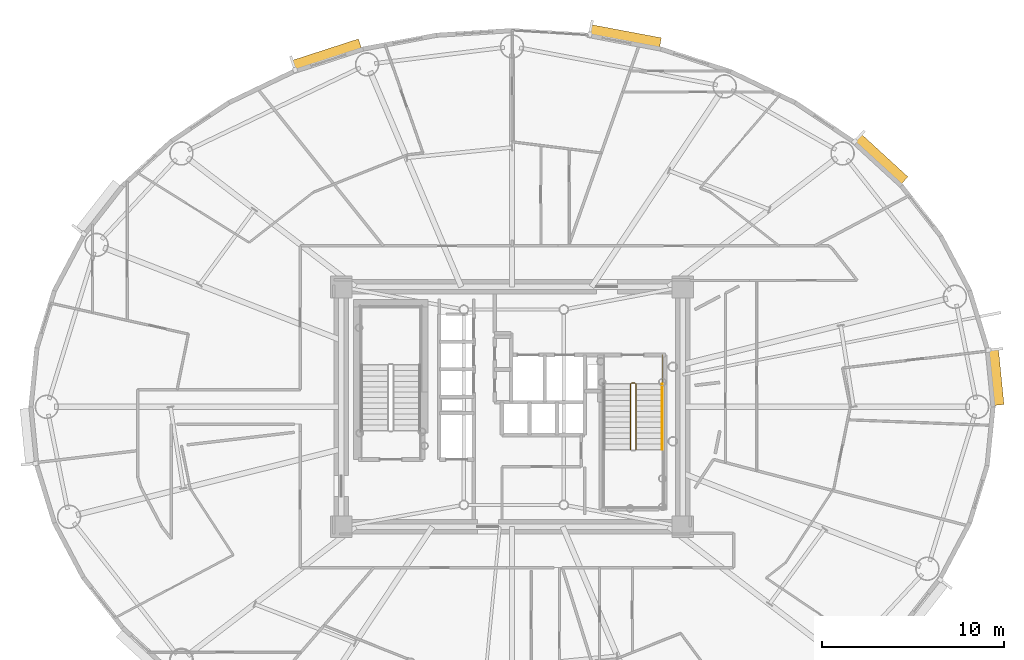
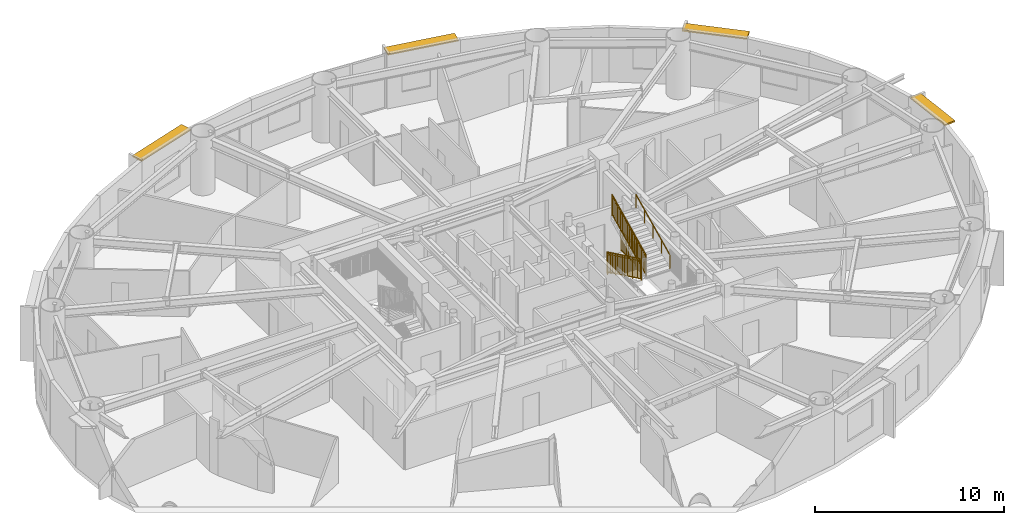
# One storey, part 19 of 19: 5 railings, 4 shading devices.
"""IFC4 building model written with IfcOpenShell, lengths in metres."""

from ifc_helpers import new_model, si_unit, direction, frame, origin, origin_2d, place, context, subcontext, project, spatial, rectangle, extrude, source, transform, mapped, material, layer, layer_set, type_object, element, save


model = new_model("IFC4")

# Units and contexts
model_context = context("Model", 3, precision=1e-05, world=origin(), true_north=direction((0.0, 1.0)))
body_context = subcontext(model_context, "Body", "Model", "MODEL_VIEW")
ifc_project = project(units=[si_unit("LENGTHUNIT", "METRE"), si_unit("AREAUNIT", "SQUARE_METRE"), si_unit("VOLUMEUNIT", "CUBIC_METRE"), si_unit("PLANEANGLEUNIT", "RADIAN"), si_unit("MASSUNIT", "GRAM", prefix="KILO")], contexts=[model_context])

# Site, building, storey
site_placement = place(None, origin())
site = spatial("IfcSite", under=ifc_project, at=site_placement, CompositionType="ELEMENT")
building_placement = place(site_placement, origin())
building = spatial("IfcBuilding", under=site, at=building_placement, Name="Linh Dai School and Residence Tower", CompositionType="ELEMENT")
storey_placement = place(building_placement, frame((0.0, 0.0, 174.89990234375)))
storey = spatial("IfcBuildingStorey", under=building, at=storey_placement, Name="L42", CompositionType="ELEMENT", Elevation=174.89990234375)

# Shading devices
ifc_material_1 = material(Name="Terracotta Ceramic Sunshade", Category="masonry")
ifc_layer = layer(ifc_material_1, 0.10009765625)
ifc_layer_set = layer_set([ifc_layer], Name="Terracotta Ceramic Sunshade")
shading_device_type = type_object("IfcShadingDeviceType", Name="SHD-TC-650", PredefinedType="USERDEFINED", material=ifc_layer_set)
shared_shape_1 = source(origin(), body_context, "Body", "SweptSolid", [
    extrude(rectangle(XDim=3.1201171875, YDim=0.64990234375, at=origin_2d()), origin(), (0.0, 0.0, 1.0), 0.10009765625),
])
shading_device_1_placement = place(storey_placement, frame((62.59619140625, 28.645263671875, 3.380126953125), z_axis=(0.0, 0.0, 1.0), x_axis=(0.100001796141, -0.994987256586, 0.0)))
element("IfcShadingDevice", 1, at=shading_device_1_placement, inside=storey, type_object=shading_device_type, Name="L42 Terracotta Horizontal Sunshade Band 01", ObjectType="SUNSHADE", PredefinedType="USERDEFINED", context=body_context, shape_type="MappedRepresentation", body=[
    mapped(shared_shape_1, transform((0.0, 0.0, 0.0), x_axis=(1.0, 0.0, 0.0), y_axis=(0.0, 1.0, 0.0), z_axis=(0.0, 0.0, 1.0), scale=1.0)),
])
shared_shape_2 = source(origin(), body_context, "Body", "SweptSolid", [
    extrude(rectangle(XDim=3.51171875, YDim=0.64990234375, at=origin_2d()), origin(), (0.0, 0.0, 1.0), 0.10009765625),
])
shading_device_2_placement = place(storey_placement, frame((56.272705078125, 40.604736328125, 3.380126953125), z_axis=(0.0, 0.0, 1.0), x_axis=(0.737085029426, -0.67580001435, 0.0)))
element("IfcShadingDevice", 2, at=shading_device_2_placement, inside=storey, type_object=shading_device_type, Name="L42 Terracotta Horizontal Sunshade Band 05", ObjectType="SUNSHADE", PredefinedType="USERDEFINED", context=body_context, shape_type="MappedRepresentation", body=[
    mapped(shared_shape_2, transform((0.0, 0.0, 0.0), x_axis=(1.0, 0.0, 0.0), y_axis=(0.0, 1.0, 0.0), z_axis=(0.0, 0.0, 1.0), scale=1.0)),
])
shared_shape_3 = source(origin(), body_context, "Body", "SweptSolid", [
    extrude(rectangle(XDim=3.949462890625, YDim=0.64990234375, at=origin_2d()), origin(), (0.0, 0.0, 1.0), 0.10009765625),
])
shading_device_3_placement = place(storey_placement, frame((42.219970703125, 47.349609375, 3.380126953125), z_axis=(0.0, 0.0, 1.0), x_axis=(0.982783192645, -0.184762540184, 0.0)))
element("IfcShadingDevice", 3, at=shading_device_3_placement, inside=storey, type_object=shading_device_type, Name="L42 Terracotta Horizontal Sunshade Band 09", ObjectType="SUNSHADE", PredefinedType="USERDEFINED", context=body_context, shape_type="MappedRepresentation", body=[
    mapped(shared_shape_3, transform((0.0, 0.0, 0.0), x_axis=(1.0, 0.0, 0.0), y_axis=(0.0, 1.0, 0.0), z_axis=(0.0, 0.0, 1.0), scale=1.0)),
])
shared_shape_4 = source(origin(), body_context, "Body", "SweptSolid", [
    extrude(rectangle(XDim=3.876220703125, YDim=0.64990234375, at=origin_2d()), origin(), (0.0, 0.0, 1.0), 0.10009765625),
])
shading_device_4_placement = place(storey_placement, frame((25.802734375, 46.337646484375, 3.380126953125), z_axis=(0.0, 0.0, 1.0), x_axis=(0.951212761419, 0.308535707031, 0.0)))
element("IfcShadingDevice", 4, at=shading_device_4_placement, inside=storey, type_object=shading_device_type, Name="L42 Terracotta Horizontal Sunshade Band 13", ObjectType="SUNSHADE", PredefinedType="USERDEFINED", context=body_context, shape_type="MappedRepresentation", body=[
    mapped(shared_shape_4, transform((0.0, 0.0, 0.0), x_axis=(1.0, 0.0, 0.0), y_axis=(0.0, 1.0, 0.0), z_axis=(0.0, 0.0, 1.0), scale=1.0)),
])

# Railings
ifc_material_2 = material(Name="Structural Steel S355JR", Category="steel")
railing_type_1 = type_object("IfcRailingType", Name="RL-ST-GUARD-1400", PredefinedType="GUARDRAIL", material=ifc_material_2)
shared_shape_5 = source(origin(), body_context, "Body", "SweptSolid", [
    extrude(rectangle(XDim=0.048095703125, YDim=0.048095703125, at=origin_2d()), frame((0.0, 0.0, 1.3759765625), z_axis=(0.0, 0.901262522062, 0.433273431364), x_axis=(-1.0, 0.0, 0.0)), (0.0, 0.0, 1.0), 3.994384765625),
    extrude(rectangle(XDim=0.048095703125, YDim=0.048095703125, at=origin_2d()), frame((0.0, 0.0, 0.10009765625), z_axis=(0.0, 0.901262522062, 0.433273431364), x_axis=(-1.0, 0.0, 0.0)), (0.0, 0.0, 1.0), 3.994384765625),
    extrude(rectangle(XDim=0.030029296875, YDim=0.030029296875, at=origin_2d()), frame((0.0, 0.0, 1.239990234375), z_axis=(0.0, 0.901262522062, 0.433273431364), x_axis=(-1.0, 0.0, 0.0)), (0.0, 0.0, 1.0), 3.994384765625),
    extrude(rectangle(XDim=0.02001953125, YDim=0.02001953125, at=origin_2d()), frame((0.0, 0.087890625, 0.142333984375)), (0.0, 0.0, 1.0), 1.251708984375),
    extrude(rectangle(XDim=0.02001953125, YDim=0.02001953125, at=origin_2d()), frame((0.0, 0.175537109375, 0.1845703125)), (0.0, 0.0, 1.0), 1.251708984375),
    extrude(rectangle(XDim=0.02001953125, YDim=0.02001953125, at=origin_2d()), frame((0.0, 0.263427734375, 0.226806640625)), (0.0, 0.0, 1.0), 1.251708984375),
    extrude(rectangle(XDim=0.02001953125, YDim=0.02001953125, at=origin_2d()), frame((0.0, 0.351318359375, 0.26904296875)), (0.0, 0.0, 1.0), 1.251708984375),
    extrude(rectangle(XDim=0.02001953125, YDim=0.02001953125, at=origin_2d()), frame((0.0, 0.43896484375, 0.311279296875)), (0.0, 0.0, 1.0), 1.251708984375),
    extrude(rectangle(XDim=0.02001953125, YDim=0.02001953125, at=origin_2d()), frame((0.0, 0.52685546875, 0.353271484375)), (0.0, 0.0, 1.0), 1.251708984375),
    extrude(rectangle(XDim=0.02001953125, YDim=0.02001953125, at=origin_2d()), frame((0.0, 0.61474609375, 0.3955078125)), (0.0, 0.0, 1.0), 1.251708984375),
    extrude(rectangle(XDim=0.02001953125, YDim=0.02001953125, at=origin_2d()), frame((0.0, 0.702392578125, 0.437744140625)), (0.0, 0.0, 1.0), 1.251708984375),
    extrude(rectangle(XDim=0.02001953125, YDim=0.02001953125, at=origin_2d()), frame((0.0, 0.790283203125, 0.47998046875)), (0.0, 0.0, 1.0), 1.251708984375),
    extrude(rectangle(XDim=0.02001953125, YDim=0.02001953125, at=origin_2d()), frame((0.0, 0.9658203125, 0.564453125)), (0.0, 0.0, 1.0), 1.251708984375),
    extrude(rectangle(XDim=0.02001953125, YDim=0.02001953125, at=origin_2d()), frame((0.0, 1.0537109375, 0.606689453125)), (0.0, 0.0, 1.0), 1.251708984375),
    extrude(rectangle(XDim=0.02001953125, YDim=0.02001953125, at=origin_2d()), frame((0.0, 1.1416015625, 0.64892578125)), (0.0, 0.0, 1.0), 1.251708984375),
    extrude(rectangle(XDim=0.02001953125, YDim=0.02001953125, at=origin_2d()), frame((0.0, 1.229248046875, 0.691162109375)), (0.0, 0.0, 1.0), 1.251708984375),
    extrude(rectangle(XDim=0.02001953125, YDim=0.02001953125, at=origin_2d()), frame((0.0, 1.317138671875, 0.7333984375)), (0.0, 0.0, 1.0), 1.251708984375),
    extrude(rectangle(XDim=0.02001953125, YDim=0.02001953125, at=origin_2d()), frame((0.0, 1.405029296875, 0.775390625)), (0.0, 0.0, 1.0), 1.251708984375),
    extrude(rectangle(XDim=0.02001953125, YDim=0.02001953125, at=origin_2d()), frame((0.0, 1.49267578125, 0.817626953125)), (0.0, 0.0, 1.0), 1.251708984375),
    extrude(rectangle(XDim=0.02001953125, YDim=0.02001953125, at=origin_2d()), frame((0.0, 1.58056640625, 0.85986328125)), (0.0, 0.0, 1.0), 1.251708984375),
    extrude(rectangle(XDim=0.02001953125, YDim=0.02001953125, at=origin_2d()), frame((0.0, 1.66845703125, 0.902099609375)), (0.0, 0.0, 1.0), 1.251708984375),
    extrude(rectangle(XDim=0.02001953125, YDim=0.02001953125, at=origin_2d()), frame((0.0, 1.756103515625, 0.9443359375)), (0.0, 0.0, 1.0), 1.251708984375),
    extrude(rectangle(XDim=0.02001953125, YDim=0.02001953125, at=origin_2d()), frame((0.0, 1.843994140625, 0.986572265625)), (0.0, 0.0, 1.0), 1.251708984375),
    extrude(rectangle(XDim=0.02001953125, YDim=0.02001953125, at=origin_2d()), frame((0.0, 1.931640625, 1.02880859375)), (0.0, 0.0, 1.0), 1.251708984375),
    extrude(rectangle(XDim=0.02001953125, YDim=0.02001953125, at=origin_2d()), frame((0.0, 2.01953125, 1.071044921875)), (0.0, 0.0, 1.0), 1.251708984375),
    extrude(rectangle(XDim=0.02001953125, YDim=0.02001953125, at=origin_2d()), frame((0.0, 2.107421875, 1.11328125)), (0.0, 0.0, 1.0), 1.251708984375),
    extrude(rectangle(XDim=0.02001953125, YDim=0.02001953125, at=origin_2d()), frame((0.0, 2.195068359375, 1.155517578125)), (0.0, 0.0, 1.0), 1.251708984375),
    extrude(rectangle(XDim=0.02001953125, YDim=0.02001953125, at=origin_2d()), frame((0.0, 2.282958984375, 1.197509765625)), (0.0, 0.0, 1.0), 1.251708984375),
    extrude(rectangle(XDim=0.02001953125, YDim=0.02001953125, at=origin_2d()), frame((0.0, 2.370849609375, 1.23974609375)), (0.0, 0.0, 1.0), 1.251708984375),
    extrude(rectangle(XDim=0.02001953125, YDim=0.02001953125, at=origin_2d()), frame((0.0, 2.45849609375, 1.281982421875)), (0.0, 0.0, 1.0), 1.251708984375),
    extrude(rectangle(XDim=0.02001953125, YDim=0.02001953125, at=origin_2d()), frame((0.0, 2.54638671875, 1.32421875)), (0.0, 0.0, 1.0), 1.251708984375),
    extrude(rectangle(XDim=0.02001953125, YDim=0.02001953125, at=origin_2d()), frame((0.0, 2.63427734375, 1.366455078125)), (0.0, 0.0, 1.0), 1.251708984375),
    extrude(rectangle(XDim=0.02001953125, YDim=0.02001953125, at=origin_2d()), frame((0.0, 2.809814453125, 1.450927734375)), (0.0, 0.0, 1.0), 1.251708984375),
    extrude(rectangle(XDim=0.02001953125, YDim=0.02001953125, at=origin_2d()), frame((0.0, 2.897705078125, 1.4931640625)), (0.0, 0.0, 1.0), 1.251708984375),
    extrude(rectangle(XDim=0.02001953125, YDim=0.02001953125, at=origin_2d()), frame((0.0, 2.9853515625, 1.535400390625)), (0.0, 0.0, 1.0), 1.251708984375),
    extrude(rectangle(XDim=0.02001953125, YDim=0.02001953125, at=origin_2d()), frame((0.0, 3.0732421875, 1.57763671875)), (0.0, 0.0, 1.0), 1.251708984375),
    extrude(rectangle(XDim=0.02001953125, YDim=0.02001953125, at=origin_2d()), frame((0.0, 3.1611328125, 1.61962890625)), (0.0, 0.0, 1.0), 1.251708984375),
    extrude(rectangle(XDim=0.02001953125, YDim=0.02001953125, at=origin_2d()), frame((0.0, 3.248779296875, 1.661865234375)), (0.0, 0.0, 1.0), 1.251708984375),
    extrude(rectangle(XDim=0.02001953125, YDim=0.02001953125, at=origin_2d()), frame((0.0, 3.336669921875, 1.7041015625)), (0.0, 0.0, 1.0), 1.251708984375),
    extrude(rectangle(XDim=0.02001953125, YDim=0.02001953125, at=origin_2d()), frame((0.0, 3.424560546875, 1.746337890625)), (0.0, 0.0, 1.0), 1.251708984375),
    extrude(rectangle(XDim=0.02001953125, YDim=0.02001953125, at=origin_2d()), frame((0.0, 3.51220703125, 1.78857421875)), (0.0, 0.0, 1.0), 1.251708984375),
    extrude(rectangle(XDim=0.0419921875, YDim=0.0419921875, at=origin_2d()), origin(), (0.0, 0.0, 1.0), 1.3759765625),
    extrude(rectangle(XDim=0.0419921875, YDim=0.0419921875, at=origin_2d()), frame((0.0, 0.89990234375, 0.4326171875)), (0.0, 0.0, 1.0), 1.3759765625),
    extrude(rectangle(XDim=0.0419921875, YDim=0.0419921875, at=origin_2d()), frame((0.0, 1.800048828125, 0.865234375)), (0.0, 0.0, 1.0), 1.3759765625),
    extrude(rectangle(XDim=0.0419921875, YDim=0.0419921875, at=origin_2d()), frame((0.0, 2.7001953125, 1.298095703125)), (0.0, 0.0, 1.0), 1.3759765625),
    extrude(rectangle(XDim=0.0419921875, YDim=0.0419921875, at=origin_2d()), frame((0.0, 3.60009765625, 1.730712890625)), (0.0, 0.0, 1.0), 1.3759765625),
])
railing_1_placement = place(storey_placement, frame((42.820068359375, 24.64990234375, 2.019287109375)))
element("IfcRailing", 5, at=railing_1_placement, inside=storey, type_object=railing_type_1, Name="L42 ST2 stair guard 6", PredefinedType="GUARDRAIL", context=body_context, shape_type="MappedRepresentation", body=[
    mapped(shared_shape_5, transform((0.0, 0.0, 0.0), x_axis=(1.0, 0.0, 0.0), y_axis=(0.0, 1.0, 0.0), z_axis=(0.0, 0.0, 1.0), scale=1.0)),
])
shared_shape_6 = source(origin(), body_context, "Body", "SweptSolid", [
    extrude(rectangle(XDim=0.048095703125, YDim=0.048095703125, at=origin_2d()), frame((0.0, 0.0, 1.3759765625), z_axis=(0.0, -0.901262522062, 0.433273431364), x_axis=(1.0, 0.0, 0.0)), (0.0, 0.0, 1.0), 3.994384765625),
    extrude(rectangle(XDim=0.048095703125, YDim=0.048095703125, at=origin_2d()), frame((0.0, 0.0, 0.10009765625), z_axis=(0.0, -0.901262522062, 0.433273431364), x_axis=(1.0, 0.0, 0.0)), (0.0, 0.0, 1.0), 3.994384765625),
    extrude(rectangle(XDim=0.030029296875, YDim=0.030029296875, at=origin_2d()), frame((0.0, 0.0, 1.239990234375), z_axis=(0.0, -0.901262522062, 0.433273431364), x_axis=(1.0, 0.0, 0.0)), (0.0, 0.0, 1.0), 3.994384765625),
    extrude(rectangle(XDim=0.02001953125, YDim=0.02001953125, at=origin_2d()), frame((0.0, -0.087890625, 0.142333984375)), (0.0, 0.0, 1.0), 1.251708984375),
    extrude(rectangle(XDim=0.02001953125, YDim=0.02001953125, at=origin_2d()), frame((0.0, -0.175537109375, 0.1845703125)), (0.0, 0.0, 1.0), 1.251708984375),
    extrude(rectangle(XDim=0.02001953125, YDim=0.02001953125, at=origin_2d()), frame((0.0, -0.263427734375, 0.226806640625)), (0.0, 0.0, 1.0), 1.251708984375),
    extrude(rectangle(XDim=0.02001953125, YDim=0.02001953125, at=origin_2d()), frame((0.0, -0.351318359375, 0.26904296875)), (0.0, 0.0, 1.0), 1.251708984375),
    extrude(rectangle(XDim=0.02001953125, YDim=0.02001953125, at=origin_2d()), frame((0.0, -0.43896484375, 0.311279296875)), (0.0, 0.0, 1.0), 1.251708984375),
    extrude(rectangle(XDim=0.02001953125, YDim=0.02001953125, at=origin_2d()), frame((0.0, -0.52685546875, 0.353271484375)), (0.0, 0.0, 1.0), 1.251708984375),
    extrude(rectangle(XDim=0.02001953125, YDim=0.02001953125, at=origin_2d()), frame((0.0, -0.61474609375, 0.3955078125)), (0.0, 0.0, 1.0), 1.251708984375),
    extrude(rectangle(XDim=0.02001953125, YDim=0.02001953125, at=origin_2d()), frame((0.0, -0.702392578125, 0.437744140625)), (0.0, 0.0, 1.0), 1.251708984375),
    extrude(rectangle(XDim=0.02001953125, YDim=0.02001953125, at=origin_2d()), frame((0.0, -0.790283203125, 0.47998046875)), (0.0, 0.0, 1.0), 1.251708984375),
    extrude(rectangle(XDim=0.02001953125, YDim=0.02001953125, at=origin_2d()), frame((0.0, -0.9658203125, 0.564453125)), (0.0, 0.0, 1.0), 1.251708984375),
    extrude(rectangle(XDim=0.02001953125, YDim=0.02001953125, at=origin_2d()), frame((0.0, -1.0537109375, 0.606689453125)), (0.0, 0.0, 1.0), 1.251708984375),
    extrude(rectangle(XDim=0.02001953125, YDim=0.02001953125, at=origin_2d()), frame((0.0, -1.1416015625, 0.64892578125)), (0.0, 0.0, 1.0), 1.251708984375),
    extrude(rectangle(XDim=0.02001953125, YDim=0.02001953125, at=origin_2d()), frame((0.0, -1.229248046875, 0.691162109375)), (0.0, 0.0, 1.0), 1.251708984375),
    extrude(rectangle(XDim=0.02001953125, YDim=0.02001953125, at=origin_2d()), frame((0.0, -1.317138671875, 0.7333984375)), (0.0, 0.0, 1.0), 1.251708984375),
    extrude(rectangle(XDim=0.02001953125, YDim=0.02001953125, at=origin_2d()), frame((0.0, -1.405029296875, 0.775390625)), (0.0, 0.0, 1.0), 1.251708984375),
    extrude(rectangle(XDim=0.02001953125, YDim=0.02001953125, at=origin_2d()), frame((0.0, -1.49267578125, 0.817626953125)), (0.0, 0.0, 1.0), 1.251708984375),
    extrude(rectangle(XDim=0.02001953125, YDim=0.02001953125, at=origin_2d()), frame((0.0, -1.58056640625, 0.85986328125)), (0.0, 0.0, 1.0), 1.251708984375),
    extrude(rectangle(XDim=0.02001953125, YDim=0.02001953125, at=origin_2d()), frame((0.0, -1.66845703125, 0.902099609375)), (0.0, 0.0, 1.0), 1.251708984375),
    extrude(rectangle(XDim=0.02001953125, YDim=0.02001953125, at=origin_2d()), frame((0.0, -1.756103515625, 0.9443359375)), (0.0, 0.0, 1.0), 1.251708984375),
    extrude(rectangle(XDim=0.02001953125, YDim=0.02001953125, at=origin_2d()), frame((0.0, -1.843994140625, 0.986572265625)), (0.0, 0.0, 1.0), 1.251708984375),
    extrude(rectangle(XDim=0.02001953125, YDim=0.02001953125, at=origin_2d()), frame((0.0, -1.931640625, 1.02880859375)), (0.0, 0.0, 1.0), 1.251708984375),
    extrude(rectangle(XDim=0.02001953125, YDim=0.02001953125, at=origin_2d()), frame((0.0, -2.01953125, 1.071044921875)), (0.0, 0.0, 1.0), 1.251708984375),
    extrude(rectangle(XDim=0.02001953125, YDim=0.02001953125, at=origin_2d()), frame((0.0, -2.107421875, 1.11328125)), (0.0, 0.0, 1.0), 1.251708984375),
    extrude(rectangle(XDim=0.02001953125, YDim=0.02001953125, at=origin_2d()), frame((0.0, -2.195068359375, 1.155517578125)), (0.0, 0.0, 1.0), 1.251708984375),
    extrude(rectangle(XDim=0.02001953125, YDim=0.02001953125, at=origin_2d()), frame((0.0, -2.282958984375, 1.197509765625)), (0.0, 0.0, 1.0), 1.251708984375),
    extrude(rectangle(XDim=0.02001953125, YDim=0.02001953125, at=origin_2d()), frame((0.0, -2.370849609375, 1.23974609375)), (0.0, 0.0, 1.0), 1.251708984375),
    extrude(rectangle(XDim=0.02001953125, YDim=0.02001953125, at=origin_2d()), frame((0.0, -2.45849609375, 1.281982421875)), (0.0, 0.0, 1.0), 1.251708984375),
    extrude(rectangle(XDim=0.02001953125, YDim=0.02001953125, at=origin_2d()), frame((0.0, -2.54638671875, 1.32421875)), (0.0, 0.0, 1.0), 1.251708984375),
    extrude(rectangle(XDim=0.02001953125, YDim=0.02001953125, at=origin_2d()), frame((0.0, -2.63427734375, 1.366455078125)), (0.0, 0.0, 1.0), 1.251708984375),
    extrude(rectangle(XDim=0.02001953125, YDim=0.02001953125, at=origin_2d()), frame((0.0, -2.809814453125, 1.450927734375)), (0.0, 0.0, 1.0), 1.251708984375),
    extrude(rectangle(XDim=0.02001953125, YDim=0.02001953125, at=origin_2d()), frame((0.0, -2.897705078125, 1.4931640625)), (0.0, 0.0, 1.0), 1.251708984375),
    extrude(rectangle(XDim=0.02001953125, YDim=0.02001953125, at=origin_2d()), frame((0.0, -2.9853515625, 1.535400390625)), (0.0, 0.0, 1.0), 1.251708984375),
    extrude(rectangle(XDim=0.02001953125, YDim=0.02001953125, at=origin_2d()), frame((0.0, -3.0732421875, 1.57763671875)), (0.0, 0.0, 1.0), 1.251708984375),
    extrude(rectangle(XDim=0.02001953125, YDim=0.02001953125, at=origin_2d()), frame((0.0, -3.1611328125, 1.61962890625)), (0.0, 0.0, 1.0), 1.251708984375),
    extrude(rectangle(XDim=0.02001953125, YDim=0.02001953125, at=origin_2d()), frame((0.0, -3.248779296875, 1.661865234375)), (0.0, 0.0, 1.0), 1.251708984375),
    extrude(rectangle(XDim=0.02001953125, YDim=0.02001953125, at=origin_2d()), frame((0.0, -3.336669921875, 1.7041015625)), (0.0, 0.0, 1.0), 1.251708984375),
    extrude(rectangle(XDim=0.02001953125, YDim=0.02001953125, at=origin_2d()), frame((0.0, -3.424560546875, 1.746337890625)), (0.0, 0.0, 1.0), 1.251708984375),
    extrude(rectangle(XDim=0.02001953125, YDim=0.02001953125, at=origin_2d()), frame((0.0, -3.51220703125, 1.78857421875)), (0.0, 0.0, 1.0), 1.251708984375),
    extrude(rectangle(XDim=0.0419921875, YDim=0.0419921875, at=origin_2d()), origin(), (0.0, 0.0, 1.0), 1.3759765625),
    extrude(rectangle(XDim=0.0419921875, YDim=0.0419921875, at=origin_2d()), frame((0.0, -0.89990234375, 0.4326171875)), (0.0, 0.0, 1.0), 1.3759765625),
    extrude(rectangle(XDim=0.0419921875, YDim=0.0419921875, at=origin_2d()), frame((0.0, -1.800048828125, 0.865234375)), (0.0, 0.0, 1.0), 1.3759765625),
    extrude(rectangle(XDim=0.0419921875, YDim=0.0419921875, at=origin_2d()), frame((0.0, -2.7001953125, 1.298095703125)), (0.0, 0.0, 1.0), 1.3759765625),
    extrude(rectangle(XDim=0.0419921875, YDim=0.0419921875, at=origin_2d()), frame((0.0, -3.60009765625, 1.730712890625)), (0.0, 0.0, 1.0), 1.3759765625),
])
railing_2_placement = place(storey_placement, frame((42.52001953125, 28.25, 0.144287109375)))
element("IfcRailing", 6, at=railing_2_placement, inside=storey, type_object=railing_type_1, Name="L42 ST2 stair guard 1", PredefinedType="GUARDRAIL", context=body_context, shape_type="MappedRepresentation", body=[
    mapped(shared_shape_6, transform((0.0, 0.0, 0.0), x_axis=(1.0, 0.0, 0.0), y_axis=(0.0, 1.0, 0.0), z_axis=(0.0, 0.0, 1.0), scale=1.0)),
])
ifc_material_3 = material(Name="Brushed Stainless Steel Handrail", Category="steel")
railing_type_2 = type_object("IfcRailingType", Name="RL-ST-HANDRAIL-900", PredefinedType="HANDRAIL", material=ifc_material_3)
shared_shape_7 = source(origin(), body_context, "Body", "SweptSolid", [
    extrude(rectangle(XDim=0.048095703125, YDim=0.048095703125, at=origin_2d()), frame((0.0, 0.0, 0.8759765625), z_axis=(0.0, 0.901262522062, 0.433273431364), x_axis=(-1.0, 0.0, 0.0)), (0.0, 0.0, 1.0), 3.994384765625),
    extrude(rectangle(XDim=0.0419921875, YDim=0.0419921875, at=origin_2d()), origin(), (0.0, 0.0, 1.0), 0.8759765625),
    extrude(rectangle(XDim=0.0419921875, YDim=0.0419921875, at=origin_2d()), frame((0.0, 0.89990234375, 0.4326171875)), (0.0, 0.0, 1.0), 0.8759765625),
    extrude(rectangle(XDim=0.0419921875, YDim=0.0419921875, at=origin_2d()), frame((0.0, 1.800048828125, 0.865234375)), (0.0, 0.0, 1.0), 0.8759765625),
    extrude(rectangle(XDim=0.0419921875, YDim=0.0419921875, at=origin_2d()), frame((0.0, 2.7001953125, 1.298095703125)), (0.0, 0.0, 1.0), 0.8759765625),
    extrude(rectangle(XDim=0.0419921875, YDim=0.0419921875, at=origin_2d()), frame((0.0, 3.60009765625, 1.730712890625)), (0.0, 0.0, 1.0), 0.8759765625),
])
railing_3_placement = place(storey_placement, frame((44.27001953125, 24.64990234375, 2.019287109375)))
element("IfcRailing", 7, at=railing_3_placement, inside=storey, type_object=railing_type_2, Name="L42 ST2 stair handrail 2", PredefinedType="HANDRAIL", context=body_context, shape_type="MappedRepresentation", body=[
    mapped(shared_shape_7, transform((0.0, 0.0, 0.0), x_axis=(1.0, 0.0, 0.0), y_axis=(0.0, 1.0, 0.0), z_axis=(0.0, 0.0, 1.0), scale=1.0)),
])
shared_shape_8 = source(origin(), body_context, "Body", "SweptSolid", [
    extrude(rectangle(XDim=0.048095703125, YDim=0.048095703125, at=origin_2d()), frame((0.0, 0.0, 1.3759765625), z_axis=(1.0, 0.0, 0.0), x_axis=(0.0, 1.0, 0.0)), (0.0, 0.0, 1.0), 0.199951171875),
    extrude(rectangle(XDim=0.048095703125, YDim=0.048095703125, at=origin_2d()), frame((0.0, 0.0, 0.10009765625), z_axis=(1.0, 0.0, 0.0), x_axis=(0.0, 1.0, 0.0)), (0.0, 0.0, 1.0), 0.199951171875),
    extrude(rectangle(XDim=0.030029296875, YDim=0.030029296875, at=origin_2d()), frame((0.0, 0.0, 1.239990234375), z_axis=(1.0, 0.0, 0.0), x_axis=(0.0, 1.0, 0.0)), (0.0, 0.0, 1.0), 0.199951171875),
    extrude(rectangle(XDim=0.0419921875, YDim=0.0419921875, at=origin_2d()), origin(), (0.0, 0.0, 1.0), 1.3759765625),
    extrude(rectangle(XDim=0.0419921875, YDim=0.0419921875, at=origin_2d()), frame((0.199951171875, 0.0, 0.0)), (0.0, 0.0, 1.0), 1.3759765625),
])
railing_4_placement = place(storey_placement, frame((42.570068359375, 28.300048828125, 0.0)))
element("IfcRailing", 8, at=railing_4_placement, inside=storey, type_object=railing_type_1, Name="L42 ST2 stair guard 7", PredefinedType="GUARDRAIL", context=body_context, shape_type="MappedRepresentation", body=[
    mapped(shared_shape_8, transform((0.0, 0.0, 0.0), x_axis=(1.0, 0.0, 0.0), y_axis=(0.0, 1.0, 0.0), z_axis=(0.0, 0.0, 1.0), scale=1.0)),
])
shared_shape_9 = source(origin(), body_context, "Body", "SweptSolid", [
    extrude(rectangle(XDim=0.048095703125, YDim=0.048095703125, at=origin_2d()), frame((0.0, 0.0, 1.3759765625), z_axis=(0.0, -1.0, 0.0), x_axis=(1.0, 0.0, 0.0)), (0.0, 0.0, 1.0), 1.60009765625),
    extrude(rectangle(XDim=0.048095703125, YDim=0.048095703125, at=origin_2d()), frame((0.0, 0.0, 0.10009765625), z_axis=(0.0, -1.0, 0.0), x_axis=(1.0, 0.0, 0.0)), (0.0, 0.0, 1.0), 1.60009765625),
    extrude(rectangle(XDim=0.030029296875, YDim=0.030029296875, at=origin_2d()), frame((0.0, 0.0, 1.239990234375), z_axis=(0.0, -1.0, 0.0), x_axis=(1.0, 0.0, 0.0)), (0.0, 0.0, 1.0), 1.60009765625),
    extrude(rectangle(XDim=0.02001953125, YDim=0.02001953125, at=origin_2d()), frame((0.0, -0.09423828125, 0.10009765625)), (0.0, 0.0, 1.0), 1.251708984375),
    extrude(rectangle(XDim=0.02001953125, YDim=0.02001953125, at=origin_2d()), frame((0.0, -0.188232421875, 0.10009765625)), (0.0, 0.0, 1.0), 1.251708984375),
    extrude(rectangle(XDim=0.02001953125, YDim=0.02001953125, at=origin_2d()), frame((0.0, -0.282470703125, 0.10009765625)), (0.0, 0.0, 1.0), 1.251708984375),
    extrude(rectangle(XDim=0.02001953125, YDim=0.02001953125, at=origin_2d()), frame((0.0, -0.37646484375, 0.10009765625)), (0.0, 0.0, 1.0), 1.251708984375),
    extrude(rectangle(XDim=0.02001953125, YDim=0.02001953125, at=origin_2d()), frame((0.0, -0.470703125, 0.10009765625)), (0.0, 0.0, 1.0), 1.251708984375),
    extrude(rectangle(XDim=0.02001953125, YDim=0.02001953125, at=origin_2d()), frame((0.0, -0.564697265625, 0.10009765625)), (0.0, 0.0, 1.0), 1.251708984375),
    extrude(rectangle(XDim=0.02001953125, YDim=0.02001953125, at=origin_2d()), frame((0.0, -0.658935546875, 0.10009765625)), (0.0, 0.0, 1.0), 1.251708984375),
    extrude(rectangle(XDim=0.02001953125, YDim=0.02001953125, at=origin_2d()), frame((0.0, -0.7529296875, 0.10009765625)), (0.0, 0.0, 1.0), 1.251708984375),
    extrude(rectangle(XDim=0.02001953125, YDim=0.02001953125, at=origin_2d()), frame((0.0, -0.84716796875, 0.10009765625)), (0.0, 0.0, 1.0), 1.251708984375),
    extrude(rectangle(XDim=0.02001953125, YDim=0.02001953125, at=origin_2d()), frame((0.0, -0.941162109375, 0.10009765625)), (0.0, 0.0, 1.0), 1.251708984375),
    extrude(rectangle(XDim=0.02001953125, YDim=0.02001953125, at=origin_2d()), frame((0.0, -1.035400390625, 0.10009765625)), (0.0, 0.0, 1.0), 1.251708984375),
    extrude(rectangle(XDim=0.02001953125, YDim=0.02001953125, at=origin_2d()), frame((0.0, -1.12939453125, 0.10009765625)), (0.0, 0.0, 1.0), 1.251708984375),
    extrude(rectangle(XDim=0.02001953125, YDim=0.02001953125, at=origin_2d()), frame((0.0, -1.2236328125, 0.10009765625)), (0.0, 0.0, 1.0), 1.251708984375),
    extrude(rectangle(XDim=0.02001953125, YDim=0.02001953125, at=origin_2d()), frame((0.0, -1.317626953125, 0.10009765625)), (0.0, 0.0, 1.0), 1.251708984375),
    extrude(rectangle(XDim=0.02001953125, YDim=0.02001953125, at=origin_2d()), frame((0.0, -1.411865234375, 0.10009765625)), (0.0, 0.0, 1.0), 1.251708984375),
    extrude(rectangle(XDim=0.02001953125, YDim=0.02001953125, at=origin_2d()), frame((0.0, -1.505859375, 0.10009765625)), (0.0, 0.0, 1.0), 1.251708984375),
    extrude(rectangle(XDim=0.0419921875, YDim=0.0419921875, at=origin_2d()), origin(), (0.0, 0.0, 1.0), 1.3759765625),
    extrude(rectangle(XDim=0.0419921875, YDim=0.0419921875, at=origin_2d()), frame((0.0, -0.800048828125, 0.0)), (0.0, 0.0, 1.0), 1.3759765625),
    extrude(rectangle(XDim=0.0419921875, YDim=0.0419921875, at=origin_2d()), frame((0.0, -1.60009765625, 0.0)), (0.0, 0.0, 1.0), 1.3759765625),
])
railing_5_placement = place(storey_placement, frame((44.27001953125, 29.85009765625, 0.0)))
element("IfcRailing", 9, at=railing_5_placement, inside=storey, type_object=railing_type_1, Name="L42 ST2 stair guard 9", PredefinedType="GUARDRAIL", context=body_context, shape_type="MappedRepresentation", body=[
    mapped(shared_shape_9, transform((0.0, 0.0, 0.0), x_axis=(1.0, 0.0, 0.0), y_axis=(0.0, 1.0, 0.0), z_axis=(0.0, 0.0, 1.0), scale=1.0)),
])

save(model, "model.ifc")
